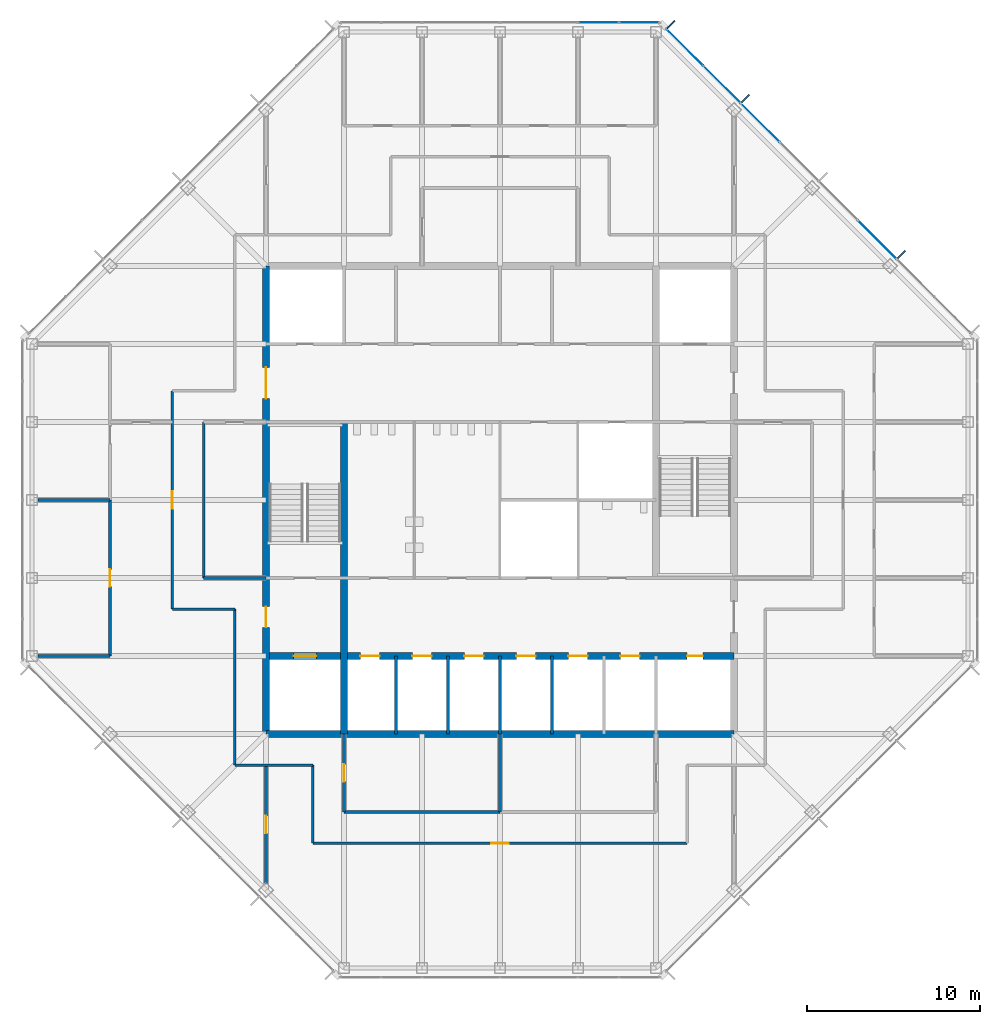
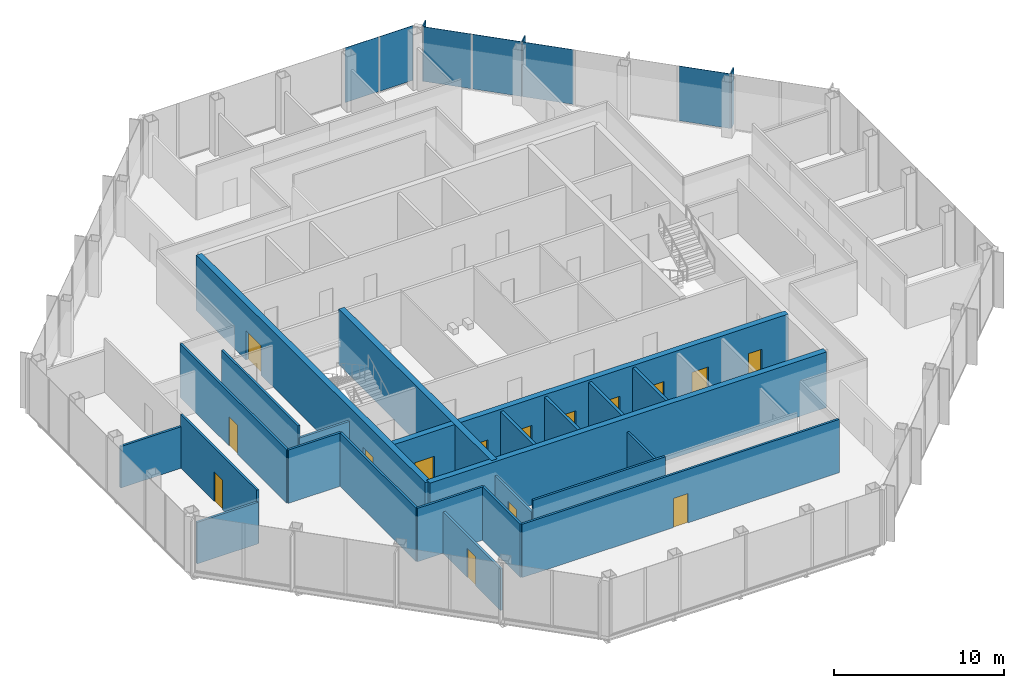
# One storey, part 9 of 14: 23 walls, 15 doors, 9 plates, 15 openings, 2 elements without a shape of their own.
"""IFC4 building model written with IfcOpenShell, lengths in metres."""

from ifc_helpers import new_model, si_unit, direction, frame, frame_2d, origin, origin_2d, place, context, subcontext, project, spatial, rectangle, extrude, material, layer, layer_set, type_object, element, fill, aggregate, save


model = new_model("IFC4")

# Units and contexts
model_context = context("Model", 3, precision=1e-05, world=origin(), true_north=direction((0.0, 1.0)))
body_context = subcontext(model_context, "Body", "Model", "MODEL_VIEW")
ifc_project = project(units=[si_unit("LENGTHUNIT", "METRE"), si_unit("AREAUNIT", "SQUARE_METRE"), si_unit("VOLUMEUNIT", "CUBIC_METRE"), si_unit("PLANEANGLEUNIT", "RADIAN"), si_unit("MASSUNIT", "GRAM", prefix="KILO")], contexts=[model_context])

# Site, building, storey
site_placement = place(None, origin())
site = spatial("IfcSite", under=ifc_project, at=site_placement, CompositionType="ELEMENT")
building_placement = place(site_placement, origin())
building = spatial("IfcBuilding", under=site, at=building_placement, Name="Corais Broadcast Tower", CompositionType="ELEMENT")
storey_placement = place(building_placement, frame((0.0, 0.0, 218.60009765625)))
storey = spatial("IfcBuildingStorey", under=building, at=storey_placement, Name="L50", CompositionType="ELEMENT", Elevation=218.60009765625)

# Curtain wall, plate
ifc_material_1 = material(Name="Aluminium and glass", Category="aluminium")
curtain_wall_type = type_object("IfcCurtainWallType", Name="Unitised fritted curtain wall CW3", PredefinedType="NOTDEFINED", material=ifc_material_1)
curtain_wall_1_placement = place(storey_placement, origin())
curtain_wall_1 = element("IfcCurtainWall", 1, at=curtain_wall_1_placement, inside=storey, type_object=curtain_wall_type, Name="CW3 curtain wall L50 4", PredefinedType="NOTDEFINED")
ifc_material_2 = material(Name="Ceramic-fritted laminated glass", Category="glass")
ifc_layer_1 = layer(ifc_material_2, 0.02587890625)
ifc_layer_set_1 = layer_set([ifc_layer_1], Name="Ceramic-fritted laminated glass")
plate_type_1 = type_object("IfcPlateType", Name="Fritted glass panel CW3", PredefinedType="CURTAIN_PANEL", material=ifc_layer_set_1)
plate_1_placement = place(storey_placement, frame((32.681884765625, 54.550048828125, 0.06494140625), z_axis=(0.0, 0.0, 1.0), x_axis=(1.0, 0.0, 0.0)))
plate_1 = element("IfcPlate", 2, at=plate_1_placement, type_object=plate_type_1, Name="CW3 panel 5", PredefinedType="CURTAIN_PANEL", context=body_context, shape_type="SweptSolid", body=[
    extrude(rectangle(XDim=2.298828125, YDim=0.02587890625, at=origin_2d()), origin(), (0.0, 0.0, 1.0), 3.93505859375),
])

# Curtain wall, plates
curtain_wall_2_placement = place(storey_placement, origin())
curtain_wall_2 = element("IfcCurtainWall", 3, at=curtain_wall_2_placement, inside=storey, type_object=curtain_wall_type, Name="CW3 curtain wall L50 5", PredefinedType="NOTDEFINED")
plate_2_placement = place(storey_placement, frame((37.669677734375, 53.108154296875, 0.06494140625), z_axis=(0.0, 0.0, 1.0), x_axis=(0.707106781187, -0.707106781187, 0.0)))
plate_2 = element("IfcPlate", 4, at=plate_2_placement, type_object=plate_type_1, Name="CW3 panel 1", PredefinedType="CURTAIN_PANEL", context=body_context, shape_type="SweptSolid", body=[
    extrude(rectangle(XDim=2.9482421875, YDim=0.02587890625, at=origin_2d()), origin(), (0.0, 0.0, 1.0), 3.93505859375),
])
plate_3_placement = place(storey_placement, frame((42.013916015625, 48.763916015625, 0.06494140625), z_axis=(0.0, 0.0, 1.0), x_axis=(0.707106781187, -0.707106781187, 0.0)))
plate_3 = element("IfcPlate", 5, at=plate_3_placement, type_object=plate_type_1, Name="CW3 panel 3", PredefinedType="CURTAIN_PANEL", context=body_context, shape_type="SweptSolid", body=[
    extrude(rectangle(XDim=3.116943359375, YDim=0.02587890625, at=origin_2d()), origin(), (0.0, 0.0, 1.0), 3.93505859375),
])

# Plate
ifc_material_3 = material(Name="Clear laminated glass", Category="glass")
ifc_layer_2 = layer(ifc_material_3, 0.030029296875)
ifc_layer_set_2 = layer_set([ifc_layer_2], Name="Clear laminated glass")
plate_type_2 = type_object("IfcPlateType", Name="Operable glass panel CW3", PredefinedType="CURTAIN_PANEL", material=ifc_layer_set_2)
plate_4_placement = place(storey_placement, frame((35.029541015625, 54.550048828125, 0.06494140625), z_axis=(0.0, 0.0, 1.0), x_axis=(1.0, 0.0, 0.0)))
plate_4 = element("IfcPlate", 6, at=plate_4_placement, type_object=plate_type_2, Name="CW3 operable panel 6", PredefinedType="CURTAIN_PANEL", context=body_context, shape_type="SweptSolid", body=[
    extrude(rectangle(XDim=2.266357421875, YDim=0.030029296875, at=origin_2d()), origin(), (0.0, 0.0, 1.0), 3.93505859375),
])

aggregate(curtain_wall_1, [plate_1, plate_4])

plate_5_placement = place(storey_placement, frame((39.81201171875, 50.9658203125, 0.06494140625), z_axis=(0.0, 0.0, 1.0), x_axis=(0.707106781187, -0.707106781187, 0.0)))
plate_5 = element("IfcPlate", 7, at=plate_5_placement, type_object=plate_type_2, Name="CW3 operable panel 2", PredefinedType="CURTAIN_PANEL", context=body_context, shape_type="SweptSolid", body=[
    extrude(rectangle(XDim=2.98095703125, YDim=0.030029296875, at=origin_2d()), origin(), (0.0, 0.0, 1.0), 3.93505859375),
])

plate_6_placement = place(storey_placement, frame((48.763916015625, 42.013916015625, 0.06494140625), z_axis=(0.0, 0.0, 1.0), x_axis=(0.707106781187, -0.707106781187, 0.0)))
plate_6 = element("IfcPlate", 8, at=plate_6_placement, type_object=plate_type_2, Name="CW3 operable panel 6", PredefinedType="CURTAIN_PANEL", context=body_context, shape_type="SweptSolid", body=[
    extrude(rectangle(XDim=3.116943359375, YDim=0.030029296875, at=origin_2d()), origin(), (0.0, 0.0, 1.0), 3.93505859375),
])

aggregate(curtain_wall_2, [plate_2, plate_5, plate_3, plate_6])

# Plates
ifc_material_4 = material(Name="Granite stone cladding", Category="masonry")
ifc_layer_3 = layer(ifc_material_4, 0.080078125)
ifc_layer_set_3 = layer_set([ifc_layer_3], Name="Granite stone cladding")
plate_type_3 = type_object("IfcPlateType", Name="Stone screen fin 80x600", PredefinedType="USERDEFINED", material=ifc_layer_set_3)
for number, where, z_axis, x_axis, name in (
    (9, (36.870849609375, 54.43994140625, 0.0), (0.0, 0.0, 1.0), (0.707106781187, -0.707106781187, 0.0), "SF1 stone screen fin L50"),
    (10, (41.155517578125, 50.155517578125, 0.0), (0.0, 0.0, 1.0), (0.707106781187, -0.707106781187, 0.0), "SF1 stone screen fin L50"),
    (11, (50.155517578125, 41.155517578125, 0.0), (0.0, 0.0, 1.0), (0.707106781187, -0.707106781187, 0.0), "SF1 stone screen fin L50"),
):
    element("IfcPlate", number, at=place(storey_placement, frame(where, z_axis=z_axis, x_axis=x_axis)), inside=storey, type_object=plate_type_3, Name=name, ObjectType="STONE SCREEN FIN", PredefinedType="USERDEFINED", context=body_context, shape_type="SweptSolid", body=[
        extrude(rectangle(XDim=0.080078125, YDim=0.60009765625, at=origin_2d()), origin(), (0.0, 0.0, 1.0), 4.0),
    ])

# Wall
ifc_material_5 = material(Name="Concrete C50/60", Category="concrete")
ifc_layer_4 = layer(ifc_material_5, 0.39990234375)
ifc_layer_set_4 = layer_set([ifc_layer_4], Name="Concrete C50/60")
wall_type_1 = type_object("IfcWallType", Name="Core wall 400", PredefinedType="SHEAR", material=ifc_layer_set_4)
wall_1_placement = place(storey_placement, frame((13.5, 13.5, 0.0), z_axis=(0.0, 0.0, 1.0), x_axis=(1.0, 0.0, 0.0)))
element("IfcWall", 12, at=wall_1_placement, inside=storey, type_object=wall_type_1, Name="CR400 core wall S L50", PredefinedType="SHEAR", context=body_context, shape_type="SweptSolid", body=[
    extrude(rectangle(XDim=27.0, YDim=0.39990234375, at=frame_2d((13.5, 0.0))), origin(), (0.0, 0.0, 1.0), 4.0),
])

# Wall, openings, doors
wall_2_placement = place(storey_placement, frame((13.5, 40.5, 0.0), z_axis=(0.0, 0.0, 1.0), x_axis=(0.0, -1.0, 0.0)))
wall_2 = element("IfcWall", 13, at=wall_2_placement, inside=storey, type_object=wall_type_1, Name="CR400 core wall W L50", PredefinedType="SHEAR", context=body_context, shape_type="SweptSolid", body=[
    extrude(rectangle(XDim=27.0, YDim=0.39990234375, at=frame_2d((13.5, 0.0))), origin(), (0.0, 0.0, 1.0), 4.0),
])
opening_1_placement = place(wall_2_placement, frame((19.64990234375, 0.0, 0.0)))
opening_1 = element("IfcOpeningElement", 14, at=opening_1_placement, cuts=wall_2, Name="Opening FD1", PredefinedType="OPENING", context=body_context, shape_type="SweptSolid", body=[
    extrude(rectangle(XDim=1.199951171875, YDim=2.10009765625, at=frame_2d((0.60009765625, 1.050048828125))), frame((0.0, 0.2099609375, 0.0), z_axis=(0.0, -1.0, 0.0), x_axis=(1.0, 0.0, 0.0)), (0.0, 0.0, 1.0), 0.419921875),
])
opening_2_placement = place(wall_2_placement, frame((5.85009765625, 0.0, 0.0)))
opening_2 = element("IfcOpeningElement", 15, at=opening_2_placement, cuts=wall_2, Name="Opening FD2", PredefinedType="OPENING", context=body_context, shape_type="SweptSolid", body=[
    extrude(rectangle(XDim=1.800048828125, YDim=2.10009765625, at=frame_2d((0.89990234375, 1.050048828125))), frame((0.0, 0.2099609375, 0.0), z_axis=(0.0, -1.0, 0.0), x_axis=(1.0, 0.0, 0.0)), (0.0, 0.0, 1.0), 0.419921875),
])
ifc_material_6 = material(Name="Steel fire door", Category="steel")
door_type_1 = type_object("IfcDoorType", Name="Fire door 1200x2100", OperationType="SINGLE_SWING_LEFT", PredefinedType="DOOR", material=ifc_material_6)
door_1_placement = place(opening_1_placement, origin())
door_1 = element("IfcDoor", 16, at=door_1_placement, inside=storey, type_object=door_type_1, Name="FD1 fire lobby A door L50", OperationType="SINGLE_SWING_RIGHT", OverallHeight=2.10009765625, OverallWidth=1.199951171875, PredefinedType="DOOR", context=body_context, shape_type="SweptSolid", body=[
    extrude(rectangle(XDim=1.199951171875, YDim=2.10009765625, at=frame_2d((0.60009765625, 1.050048828125))), frame((0.0, 0.02490234375, 0.0), z_axis=(0.0, -1.0, 0.0), x_axis=(1.0, 0.0, 0.0)), (0.0, 0.0, 1.0), 0.050048828125),
])
fill(opening_1, door_1)
ifc_material_7 = material(Name="Steel fire door", Category="steel")
door_type_2 = type_object("IfcDoorType", Name="Fire door pair 1800x2100", OperationType="DOUBLE_DOOR_SINGLE_SWING", PredefinedType="DOOR", material=ifc_material_7)
door_2_placement = place(opening_2_placement, origin())
door_2 = element("IfcDoor", 17, at=door_2_placement, inside=storey, type_object=door_type_2, Name="FD2 lift lobby door L50", OperationType="SINGLE_SWING_LEFT", OverallHeight=2.10009765625, OverallWidth=1.800048828125, PredefinedType="DOOR", context=body_context, shape_type="SweptSolid", body=[
    extrude(rectangle(XDim=1.800048828125, YDim=2.10009765625, at=frame_2d((0.89990234375, 1.050048828125))), frame((0.0, 0.02490234375, 0.0), z_axis=(0.0, -1.0, 0.0), x_axis=(1.0, 0.0, 0.0)), (0.0, 0.0, 1.0), 0.050048828125),
])
fill(opening_2, door_2)

# Wall
wall_3_placement = place(storey_placement, frame((18.0, 13.5, 0.0), z_axis=(0.0, 0.0, 1.0), x_axis=(0.0, 1.0, 0.0)))
element("IfcWall", 18, at=wall_3_placement, inside=storey, type_object=wall_type_1, Name="CR400 core wall X18A L50", PredefinedType="SHEAR", context=body_context, shape_type="SweptSolid", body=[
    extrude(rectangle(XDim=18.0, YDim=0.39990234375, at=frame_2d((9.0, 0.0))), origin(), (0.0, 0.0, 1.0), 4.0),
])

# Wall, openings, doors
wall_4_placement = place(storey_placement, frame((13.5, 18.0, 0.0), z_axis=(0.0, 0.0, 1.0), x_axis=(1.0, 0.0, 0.0)))
wall_4 = element("IfcWall", 19, at=wall_4_placement, inside=storey, type_object=wall_type_1, Name="CR400 core wall Y18 L50", PredefinedType="SHEAR", context=body_context, shape_type="SweptSolid", body=[
    extrude(rectangle(XDim=27.0, YDim=0.39990234375, at=frame_2d((13.5, 0.0))), origin(), (0.0, 0.0, 1.0), 4.0),
])
opening_3_placement = place(wall_4_placement, frame((24.300048828125, 0.0, 0.0)))
opening_3 = element("IfcOpeningElement", 20, at=opening_3_placement, cuts=wall_4, Name="Opening RD1", PredefinedType="OPENING", context=body_context, shape_type="SweptSolid", body=[
    extrude(rectangle(XDim=0.89990234375, YDim=2.10009765625, at=frame_2d((0.449951171875, 1.050048828125))), frame((0.0, 0.2099609375, 0.0), z_axis=(0.0, -1.0, 0.0), x_axis=(1.0, 0.0, 0.0)), (0.0, 0.0, 1.0), 0.419921875),
])
opening_4_placement = place(wall_4_placement, frame((5.449951171875, 0.0, 0.0)))
opening_4 = element("IfcOpeningElement", 21, at=opening_4_placement, cuts=wall_4, Name="Opening LD1", PredefinedType="OPENING", context=body_context, shape_type="SweptSolid", body=[
    extrude(rectangle(XDim=1.10009765625, YDim=2.10009765625, at=frame_2d((0.550048828125, 1.050048828125))), frame((0.0, 0.2099609375, 0.0), z_axis=(0.0, -1.0, 0.0), x_axis=(1.0, 0.0, 0.0)), (0.0, 0.0, 1.0), 0.419921875),
])
opening_5_placement = place(wall_4_placement, frame((8.449951171875, 0.0, 0.0)))
opening_5 = element("IfcOpeningElement", 22, at=opening_5_placement, cuts=wall_4, Name="Opening LD1", PredefinedType="OPENING", context=body_context, shape_type="SweptSolid", body=[
    extrude(rectangle(XDim=1.10009765625, YDim=2.10009765625, at=frame_2d((0.550048828125, 1.050048828125))), frame((0.0, 0.2099609375, 0.0), z_axis=(0.0, -1.0, 0.0), x_axis=(1.0, 0.0, 0.0)), (0.0, 0.0, 1.0), 0.419921875),
])
opening_6_placement = place(wall_4_placement, frame((11.449951171875, 0.0, 0.0)))
opening_6 = element("IfcOpeningElement", 23, at=opening_6_placement, cuts=wall_4, Name="Opening LD1", PredefinedType="OPENING", context=body_context, shape_type="SweptSolid", body=[
    extrude(rectangle(XDim=1.10009765625, YDim=2.10009765625, at=frame_2d((0.550048828125, 1.050048828125))), frame((0.0, 0.2099609375, 0.0), z_axis=(0.0, -1.0, 0.0), x_axis=(1.0, 0.0, 0.0)), (0.0, 0.0, 1.0), 0.419921875),
])
opening_7_placement = place(wall_4_placement, frame((14.449951171875, 0.0, 0.0)))
opening_7 = element("IfcOpeningElement", 24, at=opening_7_placement, cuts=wall_4, Name="Opening LD1", PredefinedType="OPENING", context=body_context, shape_type="SweptSolid", body=[
    extrude(rectangle(XDim=1.10009765625, YDim=2.10009765625, at=frame_2d((0.550048828125, 1.050048828125))), frame((0.0, 0.2099609375, 0.0), z_axis=(0.0, -1.0, 0.0), x_axis=(1.0, 0.0, 0.0)), (0.0, 0.0, 1.0), 0.419921875),
])
opening_8_placement = place(wall_4_placement, frame((17.449951171875, 0.0, 0.0)))
opening_8 = element("IfcOpeningElement", 25, at=opening_8_placement, cuts=wall_4, Name="Opening LD1", PredefinedType="OPENING", context=body_context, shape_type="SweptSolid", body=[
    extrude(rectangle(XDim=1.10009765625, YDim=2.10009765625, at=frame_2d((0.550048828125, 1.050048828125))), frame((0.0, 0.2099609375, 0.0), z_axis=(0.0, -1.0, 0.0), x_axis=(1.0, 0.0, 0.0)), (0.0, 0.0, 1.0), 0.419921875),
])
opening_9_placement = place(wall_4_placement, frame((20.449951171875, 0.0, 0.0)))
opening_9 = element("IfcOpeningElement", 26, at=opening_9_placement, cuts=wall_4, Name="Opening LD1", PredefinedType="OPENING", context=body_context, shape_type="SweptSolid", body=[
    extrude(rectangle(XDim=1.10009765625, YDim=2.10009765625, at=frame_2d((0.550048828125, 1.050048828125))), frame((0.0, 0.2099609375, 0.0), z_axis=(0.0, -1.0, 0.0), x_axis=(1.0, 0.0, 0.0)), (0.0, 0.0, 1.0), 0.419921875),
])
opening_10_placement = place(wall_4_placement, frame((1.60009765625, 0.0, 0.0)))
opening_10 = element("IfcOpeningElement", 27, at=opening_10_placement, cuts=wall_4, Name="Opening LD2", PredefinedType="OPENING", context=body_context, shape_type="SweptSolid", body=[
    extrude(rectangle(XDim=1.300048828125, YDim=2.199951171875, at=frame_2d((0.64990234375, 1.10009765625))), frame((0.0, 0.2099609375, 0.0), z_axis=(0.0, -1.0, 0.0), x_axis=(1.0, 0.0, 0.0)), (0.0, 0.0, 1.0), 0.419921875),
])
ifc_material_8 = material(Name="Stainless steel lift door", Category="steel")
door_type_3 = type_object("IfcDoorType", Name="Lift landing door 1100x2100", OperationType="SLIDING_TO_LEFT", PredefinedType="DOOR", material=ifc_material_8)
door_3_placement = place(opening_4_placement, origin())
door_3 = element("IfcDoor", 28, at=door_3_placement, inside=storey, type_object=door_type_3, Name="LD1 PH1 landing door L50", OperationType="SLIDING_TO_LEFT", OverallHeight=2.10009765625, OverallWidth=1.10009765625, PredefinedType="DOOR", context=body_context, shape_type="SweptSolid", body=[
    extrude(rectangle(XDim=1.10009765625, YDim=2.10009765625, at=frame_2d((0.550048828125, 1.050048828125))), frame((0.0, 0.02490234375, 0.0), z_axis=(0.0, -1.0, 0.0), x_axis=(1.0, 0.0, 0.0)), (0.0, 0.0, 1.0), 0.050048828125),
])
fill(opening_4, door_3)
door_4_placement = place(opening_5_placement, origin())
door_4 = element("IfcDoor", 29, at=door_4_placement, inside=storey, type_object=door_type_3, Name="LD1 PH2 landing door L50", OperationType="SLIDING_TO_LEFT", OverallHeight=2.10009765625, OverallWidth=1.10009765625, PredefinedType="DOOR", context=body_context, shape_type="SweptSolid", body=[
    extrude(rectangle(XDim=1.10009765625, YDim=2.10009765625, at=frame_2d((0.550048828125, 1.050048828125))), frame((0.0, 0.02490234375, 0.0), z_axis=(0.0, -1.0, 0.0), x_axis=(1.0, 0.0, 0.0)), (0.0, 0.0, 1.0), 0.050048828125),
])
fill(opening_5, door_4)
door_5_placement = place(opening_6_placement, origin())
door_5 = element("IfcDoor", 30, at=door_5_placement, inside=storey, type_object=door_type_3, Name="LD1 PH3 landing door L50", OperationType="SLIDING_TO_LEFT", OverallHeight=2.10009765625, OverallWidth=1.10009765625, PredefinedType="DOOR", context=body_context, shape_type="SweptSolid", body=[
    extrude(rectangle(XDim=1.10009765625, YDim=2.10009765625, at=frame_2d((0.550048828125, 1.050048828125))), frame((0.0, 0.02490234375, 0.0), z_axis=(0.0, -1.0, 0.0), x_axis=(1.0, 0.0, 0.0)), (0.0, 0.0, 1.0), 0.050048828125),
])
fill(opening_6, door_5)
door_6_placement = place(opening_7_placement, origin())
door_6 = element("IfcDoor", 31, at=door_6_placement, inside=storey, type_object=door_type_3, Name="LD1 PH4 landing door L50", OperationType="SLIDING_TO_LEFT", OverallHeight=2.10009765625, OverallWidth=1.10009765625, PredefinedType="DOOR", context=body_context, shape_type="SweptSolid", body=[
    extrude(rectangle(XDim=1.10009765625, YDim=2.10009765625, at=frame_2d((0.550048828125, 1.050048828125))), frame((0.0, 0.02490234375, 0.0), z_axis=(0.0, -1.0, 0.0), x_axis=(1.0, 0.0, 0.0)), (0.0, 0.0, 1.0), 0.050048828125),
])
fill(opening_7, door_6)
door_7_placement = place(opening_8_placement, origin())
door_7 = element("IfcDoor", 32, at=door_7_placement, inside=storey, type_object=door_type_3, Name="LD1 PH5 landing door L50", OperationType="SLIDING_TO_LEFT", OverallHeight=2.10009765625, OverallWidth=1.10009765625, PredefinedType="DOOR", context=body_context, shape_type="SweptSolid", body=[
    extrude(rectangle(XDim=1.10009765625, YDim=2.10009765625, at=frame_2d((0.550048828125, 1.050048828125))), frame((0.0, 0.02490234375, 0.0), z_axis=(0.0, -1.0, 0.0), x_axis=(1.0, 0.0, 0.0)), (0.0, 0.0, 1.0), 0.050048828125),
])
fill(opening_8, door_7)
door_8_placement = place(opening_9_placement, origin())
door_8 = element("IfcDoor", 33, at=door_8_placement, inside=storey, type_object=door_type_3, Name="LD1 PH6 landing door L50", OperationType="SLIDING_TO_LEFT", OverallHeight=2.10009765625, OverallWidth=1.10009765625, PredefinedType="DOOR", context=body_context, shape_type="SweptSolid", body=[
    extrude(rectangle(XDim=1.10009765625, YDim=2.10009765625, at=frame_2d((0.550048828125, 1.050048828125))), frame((0.0, 0.02490234375, 0.0), z_axis=(0.0, -1.0, 0.0), x_axis=(1.0, 0.0, 0.0)), (0.0, 0.0, 1.0), 0.050048828125),
])
fill(opening_9, door_8)
ifc_material_9 = material(Name="Stainless steel lift door", Category="steel")
door_type_4 = type_object("IfcDoorType", Name="Lift landing door 1300x2200", OperationType="SLIDING_TO_LEFT", PredefinedType="DOOR", material=ifc_material_9)
door_9_placement = place(opening_10_placement, origin())
door_9 = element("IfcDoor", 34, at=door_9_placement, inside=storey, type_object=door_type_4, Name="LD2 FL1 landing door L50", OperationType="SLIDING_TO_LEFT", OverallHeight=2.199951171875, OverallWidth=1.300048828125, PredefinedType="DOOR", context=body_context, shape_type="SweptSolid", body=[
    extrude(rectangle(XDim=1.300048828125, YDim=2.199951171875, at=frame_2d((0.64990234375, 1.10009765625))), frame((0.0, 0.02490234375, 0.0), z_axis=(0.0, -1.0, 0.0), x_axis=(1.0, 0.0, 0.0)), (0.0, 0.0, 1.0), 0.050048828125),
])
fill(opening_10, door_9)
ifc_material_10 = material(Name="Steel fire door", Category="steel")
door_type_5 = type_object("IfcDoorType", Name="Riser door 900x2100", OperationType="SINGLE_SWING_LEFT", PredefinedType="DOOR", material=ifc_material_10)
door_10_placement = place(opening_3_placement, origin())
door_10 = element("IfcDoor", 35, at=door_10_placement, inside=storey, type_object=door_type_5, Name="RD1 riser door L50", OperationType="SINGLE_SWING_RIGHT", OverallHeight=2.10009765625, OverallWidth=0.89990234375, PredefinedType="DOOR", context=body_context, shape_type="SweptSolid", body=[
    extrude(rectangle(XDim=0.89990234375, YDim=2.10009765625, at=frame_2d((0.449951171875, 1.050048828125))), frame((0.0, 0.02490234375, 0.0), z_axis=(0.0, -1.0, 0.0), x_axis=(1.0, 0.0, 0.0)), (0.0, 0.0, 1.0), 0.050048828125),
])
fill(opening_3, door_10)

# Wall, opening, door
ifc_material_11 = material(Name="Gypsum board on steel studs", Category="steel")
ifc_layer_5 = layer(ifc_material_11, 0.14990234375)
ifc_layer_set_5 = layer_set([ifc_layer_5], Name="Gypsum board on steel studs")
wall_type_2 = type_object("IfcWallType", Name="Partition 150", PredefinedType="PARTITIONING", material=ifc_layer_set_5)
wall_5_placement = place(storey_placement, frame((16.199951171875, 7.199951171875, 0.0), z_axis=(0.0, 0.0, 1.0), x_axis=(1.0, 0.0, 0.0)))
wall_5 = element("IfcWall", 36, at=wall_5_placement, inside=storey, type_object=wall_type_2, Name="IW3 corridor wall L50", PredefinedType="PARTITIONING", context=body_context, shape_type="SweptSolid", body=[
    extrude(rectangle(XDim=21.60009765625, YDim=0.14990234375, at=frame_2d((10.800048828125, 0.0))), origin(), (0.0, 0.0, 1.0), 3.83984375),
])
opening_11_placement = place(wall_5_placement, frame((10.300048828125, 0.0, 0.0)))
opening_11 = element("IfcOpeningElement", 37, at=opening_11_placement, cuts=wall_5, Name="Opening D1", PredefinedType="OPENING", context=body_context, shape_type="SweptSolid", body=[
    extrude(rectangle(XDim=1.0, YDim=2.10009765625, at=frame_2d((0.5, 1.050048828125))), frame((0.0, 0.0849609375, 0.0), z_axis=(0.0, -1.0, 0.0), x_axis=(1.0, 0.0, 0.0)), (0.0, 0.0, 1.0), 0.169921875),
])
ifc_material_12 = material(Name="Timber door", Category="wood")
door_type_6 = type_object("IfcDoorType", Name="Single door 1000x2100", OperationType="SINGLE_SWING_LEFT", PredefinedType="DOOR", material=ifc_material_12)
door_11_placement = place(opening_11_placement, origin())
door_11 = element("IfcDoor", 38, at=door_11_placement, inside=storey, type_object=door_type_6, Name="D1 workplace door L50", OperationType="SINGLE_SWING_LEFT", OverallHeight=2.10009765625, OverallWidth=1.0, PredefinedType="DOOR", context=body_context, shape_type="SweptSolid", body=[
    extrude(rectangle(XDim=1.0, YDim=2.10009765625, at=frame_2d((0.5, 1.050048828125))), frame((0.0, 0.02490234375, 0.0), z_axis=(0.0, -1.0, 0.0), x_axis=(1.0, 0.0, 0.0)), (0.0, 0.0, 1.0), 0.050048828125),
])
fill(opening_11, door_11)

wall_6_placement = place(storey_placement, frame((8.10009765625, 33.300048828125, 0.0), z_axis=(0.0, 0.0, 1.0), x_axis=(0.0, -1.0, 0.0)))
wall_6 = element("IfcWall", 39, at=wall_6_placement, inside=storey, type_object=wall_type_2, Name="IW3 corridor wall L50", PredefinedType="PARTITIONING", context=body_context, shape_type="SweptSolid", body=[
    extrude(rectangle(XDim=12.60009765625, YDim=0.14990234375, at=frame_2d((6.300048828125, 0.0))), origin(), (0.0, 0.0, 1.0), 3.83984375),
])
opening_12_placement = place(wall_6_placement, frame((5.800048828125, 0.0, 0.0)))
opening_12 = element("IfcOpeningElement", 40, at=opening_12_placement, cuts=wall_6, Name="Opening D1", PredefinedType="OPENING", context=body_context, shape_type="SweptSolid", body=[
    extrude(rectangle(XDim=1.0, YDim=2.10009765625, at=frame_2d((0.5, 1.050048828125))), frame((0.0, 0.0849609375, 0.0), z_axis=(0.0, -1.0, 0.0), x_axis=(1.0, 0.0, 0.0)), (0.0, 0.0, 1.0), 0.169921875),
])
door_12_placement = place(opening_12_placement, origin())
door_12 = element("IfcDoor", 41, at=door_12_placement, inside=storey, type_object=door_type_6, Name="D1 workplace door L50", OperationType="SINGLE_SWING_LEFT", OverallHeight=2.10009765625, OverallWidth=1.0, PredefinedType="DOOR", context=body_context, shape_type="SweptSolid", body=[
    extrude(rectangle(XDim=1.0, YDim=2.10009765625, at=frame_2d((0.5, 1.050048828125))), frame((0.0, 0.02490234375, 0.0), z_axis=(0.0, -1.0, 0.0), x_axis=(1.0, 0.0, 0.0)), (0.0, 0.0, 1.0), 0.050048828125),
])
fill(opening_12, door_12)

# Walls
wall_7_placement = place(storey_placement, frame((11.699951171875, 20.699951171875, 0.0), z_axis=(0.0, 0.0, 1.0), x_axis=(0.0, -1.0, 0.0)))
element("IfcWall", 42, at=wall_7_placement, inside=storey, type_object=wall_type_2, Name="IW3 corridor wall L50", PredefinedType="PARTITIONING", context=body_context, shape_type="SweptSolid", body=[
    extrude(rectangle(XDim=9.0, YDim=0.14990234375, at=frame_2d((4.5, 0.0))), origin(), (0.0, 0.0, 1.0), 3.83984375),
])
for number, where, z_axis, x_axis, name in (
    (43, (11.699951171875, 11.699951171875, 0.0), (0.0, 0.0, 1.0), (1.0, 0.0, 0.0), "IW3 corridor wall L50"),
    (44, (16.199951171875, 11.699951171875, 0.0), (0.0, 0.0, 1.0), (0.0, -1.0, 0.0), "IW3 corridor wall L50"),
):
    element("IfcWall", number, at=place(storey_placement, frame(where, z_axis=z_axis, x_axis=x_axis)), inside=storey, type_object=wall_type_2, Name=name, PredefinedType="PARTITIONING", context=body_context, shape_type="SweptSolid", body=[
        extrude(rectangle(XDim=4.5, YDim=0.14990234375, at=frame_2d((2.25, 0.0))), origin(), (0.0, 0.0, 1.0), 3.83984375),
    ])
wall_8_placement = place(storey_placement, frame((8.10009765625, 20.699951171875, 0.0), z_axis=(0.0, 0.0, 1.0), x_axis=(1.0, 0.0, 0.0)))
element("IfcWall", 45, at=wall_8_placement, inside=storey, type_object=wall_type_2, Name="IW3 corridor wall L50", PredefinedType="PARTITIONING", context=body_context, shape_type="SweptSolid", body=[
    extrude(rectangle(XDim=3.599853515625, YDim=0.14990234375, at=frame_2d((1.7998046875, 0.0))), origin(), (0.0, 0.0, 1.0), 3.83984375),
])
wall_9_placement = place(storey_placement, frame((18.0, 9.0, 0.0), z_axis=(0.0, 0.0, 1.0), x_axis=(1.0, 0.0, 0.0)))
element("IfcWall", 46, at=wall_9_placement, inside=storey, type_object=wall_type_2, Name="IW3 partition L50", PredefinedType="PARTITIONING", context=body_context, shape_type="SweptSolid", body=[
    extrude(rectangle(XDim=9.0, YDim=0.14990234375, at=frame_2d((4.5, 0.0))), origin(), (0.0, 0.0, 1.0), 3.83984375),
])
wall_10_placement = place(storey_placement, frame((27.0, 9.0, 0.0), z_axis=(0.0, 0.0, 1.0), x_axis=(0.0, 1.0, 0.0)))
element("IfcWall", 47, at=wall_10_placement, inside=storey, type_object=wall_type_2, Name="IW3 partition L50", PredefinedType="PARTITIONING", context=body_context, shape_type="SweptSolid", body=[
    extrude(rectangle(XDim=4.5, YDim=0.14990234375, at=frame_2d((2.25, 0.0))), origin(), (0.0, 0.0, 1.0), 2.989013671875),
])

# Wall, opening, door
wall_11_placement = place(storey_placement, frame((18.0, 13.5, 0.0), z_axis=(0.0, 0.0, 1.0), x_axis=(0.0, -1.0, 0.0)))
wall_11 = element("IfcWall", 48, at=wall_11_placement, inside=storey, type_object=wall_type_2, Name="IW3 partition L50", PredefinedType="PARTITIONING", context=body_context, shape_type="SweptSolid", body=[
    extrude(rectangle(XDim=4.5, YDim=0.14990234375, at=frame_2d((2.25, 0.0))), origin(), (0.0, 0.0, 1.0), 2.989013671875),
])
opening_13_placement = place(wall_11_placement, frame((1.75, 0.0, 0.0)))
opening_13 = element("IfcOpeningElement", 49, at=opening_13_placement, cuts=wall_11, Name="Opening D1", PredefinedType="OPENING", context=body_context, shape_type="SweptSolid", body=[
    extrude(rectangle(XDim=1.0, YDim=2.10009765625, at=frame_2d((0.5, 1.050048828125))), frame((0.0, 0.0849609375, 0.0), z_axis=(0.0, -1.0, 0.0), x_axis=(1.0, 0.0, 0.0)), (0.0, 0.0, 1.0), 0.169921875),
])
door_13_placement = place(opening_13_placement, origin())
door_13 = element("IfcDoor", 50, at=door_13_placement, inside=storey, type_object=door_type_6, Name="D1 Project meeting room door", OperationType="SINGLE_SWING_LEFT", OverallHeight=2.10009765625, OverallWidth=1.0, PredefinedType="DOOR", context=body_context, shape_type="SweptSolid", body=[
    extrude(rectangle(XDim=1.0, YDim=2.10009765625, at=frame_2d((0.5, 1.050048828125))), frame((0.0, 0.02490234375, 0.0), z_axis=(0.0, -1.0, 0.0), x_axis=(1.0, 0.0, 0.0)), (0.0, 0.0, 1.0), 0.050048828125),
])
fill(opening_13, door_13)

# Walls
wall_12_placement = place(storey_placement, frame((9.89990234375, 22.5, 0.0), z_axis=(0.0, 0.0, 1.0), x_axis=(1.0, 0.0, 0.0)))
element("IfcWall", 51, at=wall_12_placement, inside=storey, type_object=wall_type_2, Name="IW3 partition L50", PredefinedType="PARTITIONING", context=body_context, shape_type="SweptSolid", body=[
    extrude(rectangle(XDim=3.60009765625, YDim=0.14990234375, at=frame_2d((1.800048828125, 0.0))), origin(), (0.0, 0.0, 1.0), 2.989013671875),
])
wall_13_placement = place(storey_placement, frame((9.89990234375, 31.5, 0.0), z_axis=(0.0, 0.0, 1.0), x_axis=(0.0, -1.0, 0.0)))
element("IfcWall", 52, at=wall_13_placement, inside=storey, type_object=wall_type_2, Name="IW3 partition L50", PredefinedType="PARTITIONING", context=body_context, shape_type="SweptSolid", body=[
    extrude(rectangle(XDim=9.0, YDim=0.14990234375, at=frame_2d((4.5, 0.0))), origin(), (0.0, 0.0, 1.0), 3.83984375),
])
wall_14_placement = place(storey_placement, frame((0.3349609375, 18.0, 0.0), z_axis=(0.0, 0.0, 1.0), x_axis=(1.0, 0.0, 0.0)))
element("IfcWall", 53, at=wall_14_placement, inside=storey, type_object=wall_type_2, Name="IW3 partition L50", PredefinedType="PARTITIONING", context=body_context, shape_type="SweptSolid", body=[
    extrude(rectangle(XDim=4.1650390625, YDim=0.14990234375, at=frame_2d((2.08251953125, 0.0))), origin(), (0.0, 0.0, 1.0), 2.989013671875),
])

# Wall, opening, door
wall_15_placement = place(storey_placement, frame((4.5, 18.0, 0.0), z_axis=(0.0, 0.0, 1.0), x_axis=(0.0, 1.0, 0.0)))
wall_15 = element("IfcWall", 54, at=wall_15_placement, inside=storey, type_object=wall_type_2, Name="IW3 partition L50", PredefinedType="PARTITIONING", context=body_context, shape_type="SweptSolid", body=[
    extrude(rectangle(XDim=9.0, YDim=0.14990234375, at=frame_2d((4.5, 0.0))), origin(), (0.0, 0.0, 1.0), 3.83984375),
])
opening_14_placement = place(wall_15_placement, frame((4.0, 0.0, 0.0)))
opening_14 = element("IfcOpeningElement", 55, at=opening_14_placement, cuts=wall_15, Name="Opening D1", PredefinedType="OPENING", context=body_context, shape_type="SweptSolid", body=[
    extrude(rectangle(XDim=1.0, YDim=2.10009765625, at=frame_2d((0.5, 1.050048828125))), frame((0.0, 0.0849609375, 0.0), z_axis=(0.0, -1.0, 0.0), x_axis=(1.0, 0.0, 0.0)), (0.0, 0.0, 1.0), 0.169921875),
])
door_14_placement = place(opening_14_placement, origin())
door_14 = element("IfcDoor", 56, at=door_14_placement, inside=storey, type_object=door_type_6, Name="D1 Office door", OperationType="SINGLE_SWING_LEFT", OverallHeight=2.10009765625, OverallWidth=1.0, PredefinedType="DOOR", context=body_context, shape_type="SweptSolid", body=[
    extrude(rectangle(XDim=1.0, YDim=2.10009765625, at=frame_2d((0.5, 1.050048828125))), frame((0.0, 0.02490234375, 0.0), z_axis=(0.0, -1.0, 0.0), x_axis=(1.0, 0.0, 0.0)), (0.0, 0.0, 1.0), 0.050048828125),
])
fill(opening_14, door_14)

# Wall
wall_16_placement = place(storey_placement, frame((4.5, 27.0, 0.0), z_axis=(0.0, 0.0, 1.0), x_axis=(-1.0, 0.0, 0.0)))
element("IfcWall", 57, at=wall_16_placement, inside=storey, type_object=wall_type_2, Name="IW3 partition L50", PredefinedType="PARTITIONING", context=body_context, shape_type="SweptSolid", body=[
    extrude(rectangle(XDim=4.1650390625, YDim=0.14990234375, at=frame_2d((2.08251953125, 0.0))), origin(), (0.0, 0.0, 1.0), 2.989013671875),
])

# Wall, opening, door
wall_17_placement = place(storey_placement, frame((13.5, 4.844970703125, 0.0), z_axis=(0.0, 0.0, 1.0), x_axis=(0.0, 1.0, 0.0)))
wall_17 = element("IfcWall", 58, at=wall_17_placement, inside=storey, type_object=wall_type_2, Name="IW3 partition L50", PredefinedType="PARTITIONING", context=body_context, shape_type="SweptSolid", body=[
    extrude(rectangle(XDim=6.85498046875, YDim=0.14990234375, at=frame_2d((3.427490234375, 0.0))), origin(), (0.0, 0.0, 1.0), 2.989013671875),
])
opening_15_placement = place(wall_17_placement, frame((2.927490234375, 0.0, 0.0)))
opening_15 = element("IfcOpeningElement", 59, at=opening_15_placement, cuts=wall_17, Name="Opening D1", PredefinedType="OPENING", context=body_context, shape_type="SweptSolid", body=[
    extrude(rectangle(XDim=1.0, YDim=2.10009765625, at=frame_2d((0.5, 1.050048828125))), frame((0.0, 0.0849609375, 0.0), z_axis=(0.0, -1.0, 0.0), x_axis=(1.0, 0.0, 0.0)), (0.0, 0.0, 1.0), 0.169921875),
])
door_15_placement = place(opening_15_placement, origin())
door_15 = element("IfcDoor", 60, at=door_15_placement, inside=storey, type_object=door_type_6, Name="D1 team room door L50", OperationType="SINGLE_SWING_LEFT", OverallHeight=2.10009765625, OverallWidth=1.0, PredefinedType="DOOR", context=body_context, shape_type="SweptSolid", body=[
    extrude(rectangle(XDim=1.0, YDim=2.10009765625, at=frame_2d((0.5, 1.050048828125))), frame((0.0, 0.02490234375, 0.0), z_axis=(0.0, -1.0, 0.0), x_axis=(1.0, 0.0, 0.0)), (0.0, 0.0, 1.0), 0.050048828125),
])
fill(opening_15, door_15)

# Walls
ifc_material_13 = material(Name="Concrete blockwork class A, grouted, two-hour", Category="masonry")
ifc_layer_6 = layer(ifc_material_13, 0.199951171875)
ifc_layer_set_6 = layer_set([ifc_layer_6], Name="Concrete blockwork class A, grouted, two-hour")
wall_type_3 = type_object("IfcWallType", Name="Shaft wall 200", PredefinedType="PARTITIONING", material=ifc_layer_set_6)
for number, where, z_axis, x_axis, name in (
    (61, (21.0, 13.5, 0.0), (0.0, 0.0, 1.0), (0.0, 1.0, 0.0), "IW1 shaft wall L50"),
    (62, (24.0, 13.5, 0.0), (0.0, 0.0, 1.0), (0.0, 1.0, 0.0), "IW1 shaft wall L50"),
    (63, (27.0, 13.5, 0.0), (0.0, 0.0, 1.0), (0.0, 1.0, 0.0), "IW1 shaft wall L50"),
    (64, (30.0, 13.5, 0.0), (0.0, 0.0, 1.0), (0.0, 1.0, 0.0), "IW1 shaft wall L50"),
):
    element("IfcWall", number, at=place(storey_placement, frame(where, z_axis=z_axis, x_axis=x_axis)), inside=storey, type_object=wall_type_3, Name=name, PredefinedType="PARTITIONING", context=body_context, shape_type="SweptSolid", body=[
        extrude(rectangle(XDim=4.5, YDim=0.199951171875, at=frame_2d((2.25, 0.0))), origin(), (0.0, 0.0, 1.0), 3.83984375),
    ])

save(model, "model.ifc")
